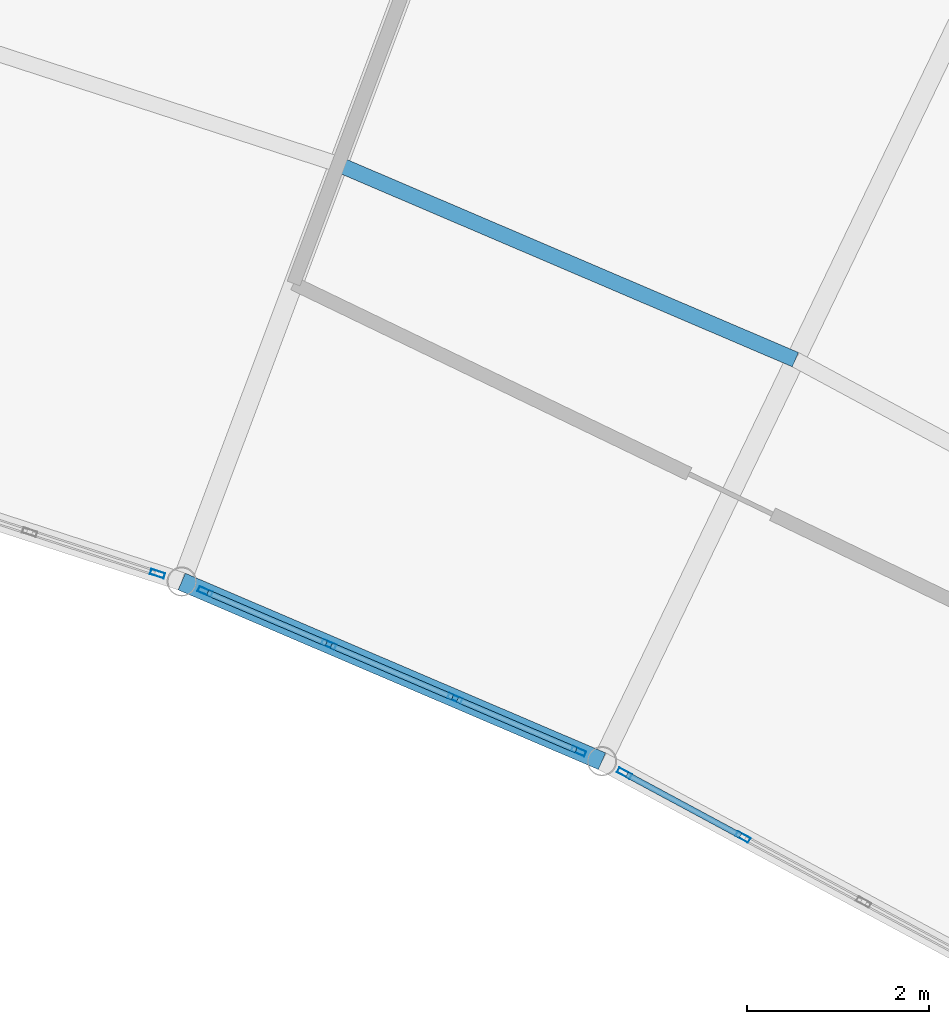
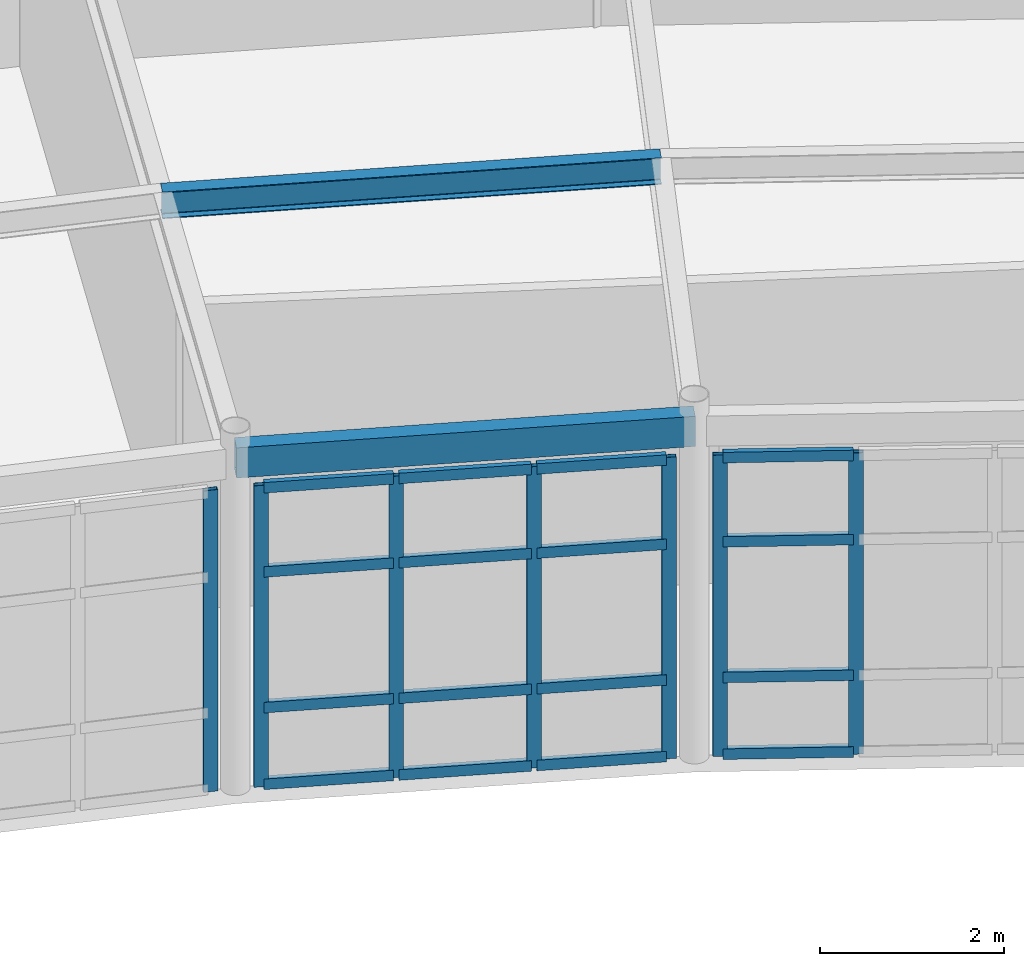
# One storey, part 77 of 116: 23 members, 2 beams, 3 elements without a shape of their own.
"""IFC4 building model written with IfcOpenShell, lengths in metres."""

from ifc_helpers import new_model, si_unit, direction, frame, origin, origin_2d, place, context, subcontext, project, spatial, hollow_rectangle, i_section, extrude, material, layer, layer_set, material_profile, profile_set, type_object, element, aggregate, save


model = new_model("IFC4")

# Units and contexts
model_context = context("Model", 3, precision=1e-05, world=origin(), true_north=direction((0.0, 1.0)))
body_context = subcontext(model_context, "Body", "Model", "MODEL_VIEW")
ifc_project = project(units=[si_unit("LENGTHUNIT", "METRE"), si_unit("AREAUNIT", "SQUARE_METRE"), si_unit("VOLUMEUNIT", "CUBIC_METRE"), si_unit("PLANEANGLEUNIT", "RADIAN"), si_unit("MASSUNIT", "GRAM", prefix="KILO")], contexts=[model_context])

# Site, building, storey
site_placement = place(None, origin())
site = spatial("IfcSite", under=ifc_project, at=site_placement, CompositionType="ELEMENT")
building_placement = place(site_placement, origin())
building = spatial("IfcBuilding", under=site, at=building_placement, Name="Selat Folded Stagehouse", CompositionType="ELEMENT")
storey_placement = place(building_placement, frame((0.0, 0.0, 5.39990234375)))
storey = spatial("IfcBuildingStorey", under=building, at=storey_placement, Name="L01", CompositionType="ELEMENT", Elevation=5.39990234375)

# Curtain wall, member
ifc_material_1 = material(Name="Aluminium 6063-T6", Category="aluminium")
ifc_layer = layer(ifc_material_1, 0.18994140625)
ifc_layer_set = layer_set([ifc_layer], Name="Aluminium 6063-T6")
curtain_wall_type = type_object("IfcCurtainWallType", Name="CW-REH-ARC", PredefinedType="NOTDEFINED", material=ifc_layer_set)
curtain_wall_1_placement = place(storey_placement, origin())
curtain_wall_1 = element("IfcCurtainWall", 1, at=curtain_wall_1_placement, inside=storey, type_object=curtain_wall_type, Name="L01 curtain wall CW-REH-L01-10", PredefinedType="NOTDEFINED")
ifc_material_profile_1 = material_profile(ifc_material_1, hollow_rectangle(XDim=0.06005859375, YDim=0.159912109375, WallThickness=0.00390625, at=origin_2d()), Name="ALU 160x60x4.0")
ifc_profile_set_1 = profile_set([ifc_material_profile_1], Name="Aluminium 6063-T6")
member_type_1 = type_object("IfcMemberType", Name="CWM-MUL-160x60", PredefinedType="MULLION", material=ifc_profile_set_1)
member_1_placement = place(storey_placement, frame((111.810546875, 90.515869140625, 0.0), z_axis=(0.0, 0.0, 1.0), x_axis=(-0.308991620714, -0.951064760323, 0.0)))
member_1 = element("IfcMember", 2, at=member_1_placement, type_object=member_type_1, Name="CW-06 mullion 1", PredefinedType="MULLION", context=body_context, shape_type="SweptSolid", body=[
    extrude(hollow_rectangle(XDim=0.06005859375, YDim=0.159912109375, WallThickness=0.00390625, at=origin_2d()), origin(), (0.0, 0.0, 1.0), 4.0),
])
aggregate(curtain_wall_1, [member_1])

# Curtain wall, members
curtain_wall_2_placement = place(storey_placement, origin())
curtain_wall_2 = element("IfcCurtainWall", 3, at=curtain_wall_2_placement, inside=storey, type_object=curtain_wall_type, Name="L01 curtain wall CW-REH-L01-11", PredefinedType="NOTDEFINED")
member_2_placement = place(storey_placement, frame((116.43994140625, 88.564453125, 0.0), z_axis=(0.0, 0.0, 1.0), x_axis=(-0.393012226483, -0.919533245639, 0.0)))
member_2 = element("IfcMember", 4, at=member_2_placement, type_object=member_type_1, Name="CW-06 mullion 1", PredefinedType="MULLION", context=body_context, shape_type="SweptSolid", body=[
    extrude(hollow_rectangle(XDim=0.06005859375, YDim=0.159912109375, WallThickness=0.00390625, at=origin_2d()), origin(), (0.0, 0.0, 1.0), 4.0),
])
member_3_placement = place(storey_placement, frame((115.080810546875, 89.145263671875, 0.0), z_axis=(0.0, 0.0, 1.0), x_axis=(-0.393012226483, -0.919533245639, 0.0)))
member_3 = element("IfcMember", 5, at=member_3_placement, type_object=member_type_1, Name="CW-06 mullion 2", PredefinedType="MULLION", context=body_context, shape_type="SweptSolid", body=[
    extrude(hollow_rectangle(XDim=0.06005859375, YDim=0.159912109375, WallThickness=0.00390625, at=origin_2d()), origin(), (0.0, 0.0, 1.0), 4.0),
])
member_4_placement = place(storey_placement, frame((113.69384765625, 89.738037109375, 0.0), z_axis=(0.0, 0.0, 1.0), x_axis=(-0.393012226483, -0.919533245639, 0.0)))
member_4 = element("IfcMember", 6, at=member_4_placement, type_object=member_type_1, Name="CW-06 mullion 3", PredefinedType="MULLION", context=body_context, shape_type="SweptSolid", body=[
    extrude(hollow_rectangle(XDim=0.06005859375, YDim=0.159912109375, WallThickness=0.00390625, at=origin_2d()), origin(), (0.0, 0.0, 1.0), 4.0),
])
member_5_placement = place(storey_placement, frame((112.33447265625, 90.319091796875, 0.0), z_axis=(0.0, 0.0, 1.0), x_axis=(-0.393012226483, -0.919533245639, 0.0)))
member_5 = element("IfcMember", 7, at=member_5_placement, type_object=member_type_1, Name="CW-06 mullion 4", PredefinedType="MULLION", context=body_context, shape_type="SweptSolid", body=[
    extrude(hollow_rectangle(XDim=0.06005859375, YDim=0.159912109375, WallThickness=0.00390625, at=origin_2d()), origin(), (0.0, 0.0, 1.0), 4.0),
])

curtain_wall_3_placement = place(storey_placement, origin())
curtain_wall_3 = element("IfcCurtainWall", 8, at=curtain_wall_3_placement, inside=storey, type_object=curtain_wall_type, Name="L01 curtain wall CW-REH-L01-12", PredefinedType="NOTDEFINED")
member_6_placement = place(storey_placement, frame((118.245849609375, 87.62109375, 0.0), z_axis=(0.0, 0.0, 1.0), x_axis=(-0.473858636259, -0.880600927119, 0.0)))
member_6 = element("IfcMember", 9, at=member_6_placement, type_object=member_type_1, Name="CW-06 mullion 3", PredefinedType="MULLION", context=body_context, shape_type="SweptSolid", body=[
    extrude(hollow_rectangle(XDim=0.06005859375, YDim=0.159912109375, WallThickness=0.00390625, at=origin_2d()), origin(), (0.0, 0.0, 1.0), 4.0),
])
member_7_placement = place(storey_placement, frame((116.944091796875, 88.321533203125, 0.0), z_axis=(0.0, 0.0, 1.0), x_axis=(-0.473858636259, -0.880600927119, 0.0)))
member_7 = element("IfcMember", 10, at=member_7_placement, type_object=member_type_1, Name="CW-06 mullion 4", PredefinedType="MULLION", context=body_context, shape_type="SweptSolid", body=[
    extrude(hollow_rectangle(XDim=0.06005859375, YDim=0.159912109375, WallThickness=0.00390625, at=origin_2d()), origin(), (0.0, 0.0, 1.0), 4.0),
])

# Member
ifc_material_profile_2 = material_profile(ifc_material_1, hollow_rectangle(XDim=0.06494140625, YDim=0.139892578125, WallThickness=0.00390625, at=origin_2d()), Name="ALU 140x65x4.0")
ifc_profile_set_2 = profile_set([ifc_material_profile_2], Name="Aluminium 6063-T6")
member_type_2 = type_object("IfcMemberType", Name="CWM-TRN-140x65", PredefinedType="USERDEFINED", material=ifc_profile_set_2)
member_8_placement = place(storey_placement, frame((116.412353515625, 88.576171875, 0.03271484375), z_axis=(-0.919518623397, 0.393046436475, 0.0), x_axis=(-0.393046436475, -0.919518623397, 0.0)))
member_8 = element("IfcMember", 11, at=member_8_placement, type_object=member_type_2, Name="CW-06 transom 1.1", ObjectType="TRANSOM", PredefinedType="USERDEFINED", context=body_context, shape_type="SweptSolid", body=[
    extrude(hollow_rectangle(XDim=0.06494140625, YDim=0.139892578125, WallThickness=0.00390625, at=origin_2d()), origin(), (0.0, 0.0, 1.0), 1.41796875),
])

member_9_placement = place(storey_placement, frame((116.412353515625, 88.576171875, 1.050048828125), z_axis=(-0.919518623397, 0.393046436475, 0.0), x_axis=(-0.393046436475, -0.919518623397, 0.0)))
member_9 = element("IfcMember", 12, at=member_9_placement, type_object=member_type_2, Name="CW-06 transom 1.2", ObjectType="TRANSOM", PredefinedType="USERDEFINED", context=body_context, shape_type="SweptSolid", body=[
    extrude(hollow_rectangle(XDim=0.06494140625, YDim=0.139892578125, WallThickness=0.00390625, at=origin_2d()), origin(), (0.0, 0.0, 1.0), 1.41796875),
])

member_10_placement = place(storey_placement, frame((116.412353515625, 88.576171875, 2.85009765625), z_axis=(-0.919518623397, 0.393046436475, 0.0), x_axis=(-0.393046436475, -0.919518623397, 0.0)))
member_10 = element("IfcMember", 13, at=member_10_placement, type_object=member_type_2, Name="CW-06 transom 1.3", ObjectType="TRANSOM", PredefinedType="USERDEFINED", context=body_context, shape_type="SweptSolid", body=[
    extrude(hollow_rectangle(XDim=0.06494140625, YDim=0.139892578125, WallThickness=0.00390625, at=origin_2d()), origin(), (0.0, 0.0, 1.0), 1.41796875),
])

member_11_placement = place(storey_placement, frame((116.412353515625, 88.576171875, 3.967529296875), z_axis=(-0.919518623397, 0.393046436475, 0.0), x_axis=(-0.393046436475, -0.919518623397, 0.0)))
member_11 = element("IfcMember", 14, at=member_11_placement, type_object=member_type_2, Name="CW-06 transom 1.4", ObjectType="TRANSOM", PredefinedType="USERDEFINED", context=body_context, shape_type="SweptSolid", body=[
    extrude(hollow_rectangle(XDim=0.06494140625, YDim=0.139892578125, WallThickness=0.00390625, at=origin_2d()), origin(), (0.0, 0.0, 1.0), 1.41796875),
])

member_12_placement = place(storey_placement, frame((115.05322265625, 89.1572265625, 0.03271484375), z_axis=(-0.919563036089, 0.392942518263, 0.0), x_axis=(-0.392942518263, -0.919563036089, 0.0)))
member_12 = element("IfcMember", 15, at=member_12_placement, type_object=member_type_2, Name="CW-06 transom 2.1", ObjectType="TRANSOM", PredefinedType="USERDEFINED", context=body_context, shape_type="SweptSolid", body=[
    extrude(hollow_rectangle(XDim=0.06494140625, YDim=0.139892578125, WallThickness=0.00390625, at=origin_2d()), origin(), (0.0, 0.0, 1.0), 1.4482421875),
])

member_13_placement = place(storey_placement, frame((115.05322265625, 89.1572265625, 1.050048828125), z_axis=(-0.919563036089, 0.392942518263, 0.0), x_axis=(-0.392942518263, -0.919563036089, 0.0)))
member_13 = element("IfcMember", 16, at=member_13_placement, type_object=member_type_2, Name="CW-06 transom 2.2", ObjectType="TRANSOM", PredefinedType="USERDEFINED", context=body_context, shape_type="SweptSolid", body=[
    extrude(hollow_rectangle(XDim=0.06494140625, YDim=0.139892578125, WallThickness=0.00390625, at=origin_2d()), origin(), (0.0, 0.0, 1.0), 1.4482421875),
])

member_14_placement = place(storey_placement, frame((115.05322265625, 89.1572265625, 2.85009765625), z_axis=(-0.919563036089, 0.392942518263, 0.0), x_axis=(-0.392942518263, -0.919563036089, 0.0)))
member_14 = element("IfcMember", 17, at=member_14_placement, type_object=member_type_2, Name="CW-06 transom 2.3", ObjectType="TRANSOM", PredefinedType="USERDEFINED", context=body_context, shape_type="SweptSolid", body=[
    extrude(hollow_rectangle(XDim=0.06494140625, YDim=0.139892578125, WallThickness=0.00390625, at=origin_2d()), origin(), (0.0, 0.0, 1.0), 1.4482421875),
])

member_15_placement = place(storey_placement, frame((115.05322265625, 89.1572265625, 3.967529296875), z_axis=(-0.919563036089, 0.392942518263, 0.0), x_axis=(-0.392942518263, -0.919563036089, 0.0)))
member_15 = element("IfcMember", 18, at=member_15_placement, type_object=member_type_2, Name="CW-06 transom 2.4", ObjectType="TRANSOM", PredefinedType="USERDEFINED", context=body_context, shape_type="SweptSolid", body=[
    extrude(hollow_rectangle(XDim=0.06494140625, YDim=0.139892578125, WallThickness=0.00390625, at=origin_2d()), origin(), (0.0, 0.0, 1.0), 1.4482421875),
])

member_16_placement = place(storey_placement, frame((113.666259765625, 89.75, 0.03271484375), z_axis=(-0.919545213655, 0.392984223657, 0.0), x_axis=(-0.392984223657, -0.919545213655, 0.0)))
member_16 = element("IfcMember", 19, at=member_16_placement, type_object=member_type_2, Name="CW-06 transom 3.1", ObjectType="TRANSOM", PredefinedType="USERDEFINED", context=body_context, shape_type="SweptSolid", body=[
    extrude(hollow_rectangle(XDim=0.06494140625, YDim=0.139892578125, WallThickness=0.00390625, at=origin_2d()), origin(), (0.0, 0.0, 1.0), 1.418212890625),
])

member_17_placement = place(storey_placement, frame((113.666259765625, 89.75, 1.050048828125), z_axis=(-0.919545213655, 0.392984223657, 0.0), x_axis=(-0.392984223657, -0.919545213655, 0.0)))
member_17 = element("IfcMember", 20, at=member_17_placement, type_object=member_type_2, Name="CW-06 transom 3.2", ObjectType="TRANSOM", PredefinedType="USERDEFINED", context=body_context, shape_type="SweptSolid", body=[
    extrude(hollow_rectangle(XDim=0.06494140625, YDim=0.139892578125, WallThickness=0.00390625, at=origin_2d()), origin(), (0.0, 0.0, 1.0), 1.418212890625),
])

member_18_placement = place(storey_placement, frame((113.666259765625, 89.75, 2.85009765625), z_axis=(-0.919545213655, 0.392984223657, 0.0), x_axis=(-0.392984223657, -0.919545213655, 0.0)))
member_18 = element("IfcMember", 21, at=member_18_placement, type_object=member_type_2, Name="CW-06 transom 3.3", ObjectType="TRANSOM", PredefinedType="USERDEFINED", context=body_context, shape_type="SweptSolid", body=[
    extrude(hollow_rectangle(XDim=0.06494140625, YDim=0.139892578125, WallThickness=0.00390625, at=origin_2d()), origin(), (0.0, 0.0, 1.0), 1.418212890625),
])

member_19_placement = place(storey_placement, frame((113.666259765625, 89.75, 3.967529296875), z_axis=(-0.919545213655, 0.392984223657, 0.0), x_axis=(-0.392984223657, -0.919545213655, 0.0)))
member_19 = element("IfcMember", 22, at=member_19_placement, type_object=member_type_2, Name="CW-06 transom 3.4", ObjectType="TRANSOM", PredefinedType="USERDEFINED", context=body_context, shape_type="SweptSolid", body=[
    extrude(hollow_rectangle(XDim=0.06494140625, YDim=0.139892578125, WallThickness=0.00390625, at=origin_2d()), origin(), (0.0, 0.0, 1.0), 1.418212890625),
])

aggregate(curtain_wall_2, [member_2, member_3, member_4, member_5, member_8, member_9, member_10, member_11, member_12, member_13, member_14, member_15, member_16, member_17, member_18, member_19])

member_20_placement = place(storey_placement, frame((118.219482421875, 87.63525390625, 0.03271484375), z_axis=(-0.880598189077, 0.473863724497, 0.0), x_axis=(-0.473863724497, -0.880598189077, 0.0)))
member_20 = element("IfcMember", 23, at=member_20_placement, type_object=member_type_2, Name="CW-06 transom 3.1", ObjectType="TRANSOM", PredefinedType="USERDEFINED", context=body_context, shape_type="SweptSolid", body=[
    extrude(hollow_rectangle(XDim=0.06494140625, YDim=0.139892578125, WallThickness=0.00390625, at=origin_2d()), origin(), (0.0, 0.0, 1.0), 1.41845703125),
])

member_21_placement = place(storey_placement, frame((118.219482421875, 87.63525390625, 1.050048828125), z_axis=(-0.880598189077, 0.473863724497, 0.0), x_axis=(-0.473863724497, -0.880598189077, 0.0)))
member_21 = element("IfcMember", 24, at=member_21_placement, type_object=member_type_2, Name="CW-06 transom 3.2", ObjectType="TRANSOM", PredefinedType="USERDEFINED", context=body_context, shape_type="SweptSolid", body=[
    extrude(hollow_rectangle(XDim=0.06494140625, YDim=0.139892578125, WallThickness=0.00390625, at=origin_2d()), origin(), (0.0, 0.0, 1.0), 1.41845703125),
])

member_22_placement = place(storey_placement, frame((118.219482421875, 87.63525390625, 2.85009765625), z_axis=(-0.880598189077, 0.473863724497, 0.0), x_axis=(-0.473863724497, -0.880598189077, 0.0)))
member_22 = element("IfcMember", 25, at=member_22_placement, type_object=member_type_2, Name="CW-06 transom 3.3", ObjectType="TRANSOM", PredefinedType="USERDEFINED", context=body_context, shape_type="SweptSolid", body=[
    extrude(hollow_rectangle(XDim=0.06494140625, YDim=0.139892578125, WallThickness=0.00390625, at=origin_2d()), origin(), (0.0, 0.0, 1.0), 1.41845703125),
])

member_23_placement = place(storey_placement, frame((118.219482421875, 87.63525390625, 3.967529296875), z_axis=(-0.880598189077, 0.473863724497, 0.0), x_axis=(-0.473863724497, -0.880598189077, 0.0)))
member_23 = element("IfcMember", 26, at=member_23_placement, type_object=member_type_2, Name="CW-06 transom 3.4", ObjectType="TRANSOM", PredefinedType="USERDEFINED", context=body_context, shape_type="SweptSolid", body=[
    extrude(hollow_rectangle(XDim=0.06494140625, YDim=0.139892578125, WallThickness=0.00390625, at=origin_2d()), origin(), (0.0, 0.0, 1.0), 1.41845703125),
])

aggregate(curtain_wall_3, [member_6, member_7, member_20, member_21, member_22, member_23])

# Beams
ifc_material_2 = material(Name="Steel S355", Category="steel")
ifc_material_profile_3 = material_profile(ifc_material_2, i_section(OverallWidth=0.17138671875, OverallDepth=0.35498046875, WebThickness=0.00732421875, FlangeThickness=0.011474609375, FilletRadius=0.01025390625, at=origin_2d()), Name="UKB 356x171x51")
ifc_profile_set_3 = profile_set([ifc_material_profile_3], Name="Steel S355")
beam_type_1 = type_object("IfcBeamType", Name="JST-356x171x51", PredefinedType="JOIST", material=ifc_profile_set_3)
beam_1_placement = place(storey_placement, frame((113.798583984375, 95.0166015625, 4.392578125), z_axis=(0.919530500952, -0.393018648182, 0.0), x_axis=(0.393018648182, 0.919530500952, 0.0)))
element("IfcBeam", 27, at=beam_1_placement, inside=storey, type_object=beam_type_1, Name="L01 curved rehearsal secondary joist 12.1", PredefinedType="JOIST", context=body_context, shape_type="SweptSolid", body=[
    extrude(i_section(OverallWidth=0.17138671875, OverallDepth=0.35498046875, WebThickness=0.00732421875, FlangeThickness=0.011474609375, FilletRadius=0.01025390625, at=origin_2d()), origin(), (0.0, 0.0, 1.0), 5.464599609375),
])
ifc_material_profile_4 = material_profile(ifc_material_2, hollow_rectangle(XDim=0.199951171875, YDim=0.39990234375, WallThickness=0.012451171875, at=origin_2d()), Name="RHS 400x200x12.5")
ifc_profile_set_4 = profile_set([ifc_material_profile_4], Name="Steel S355")
beam_type_2 = type_object("IfcBeamType", Name="SPD-EXT-400x200", PredefinedType="SPANDREL", material=ifc_profile_set_4)
beam_2_placement = place(storey_placement, frame((112.076904296875, 90.42919921875, 4.3701171875), z_axis=(0.919534104414, -0.393010217194, 0.0), x_axis=(0.393010217194, 0.919534104414, 0.0)))
element("IfcBeam", 28, at=beam_2_placement, inside=storey, type_object=beam_type_2, Name="L01 inner curved rehearsal spandrel 12", PredefinedType="SPANDREL", context=body_context, shape_type="SweptSolid", body=[
    extrude(hollow_rectangle(XDim=0.199951171875, YDim=0.39990234375, WallThickness=0.012451171875, at=origin_2d()), origin(), (0.0, 0.0, 1.0), 5.02490234375),
])

save(model, "model.ifc")
